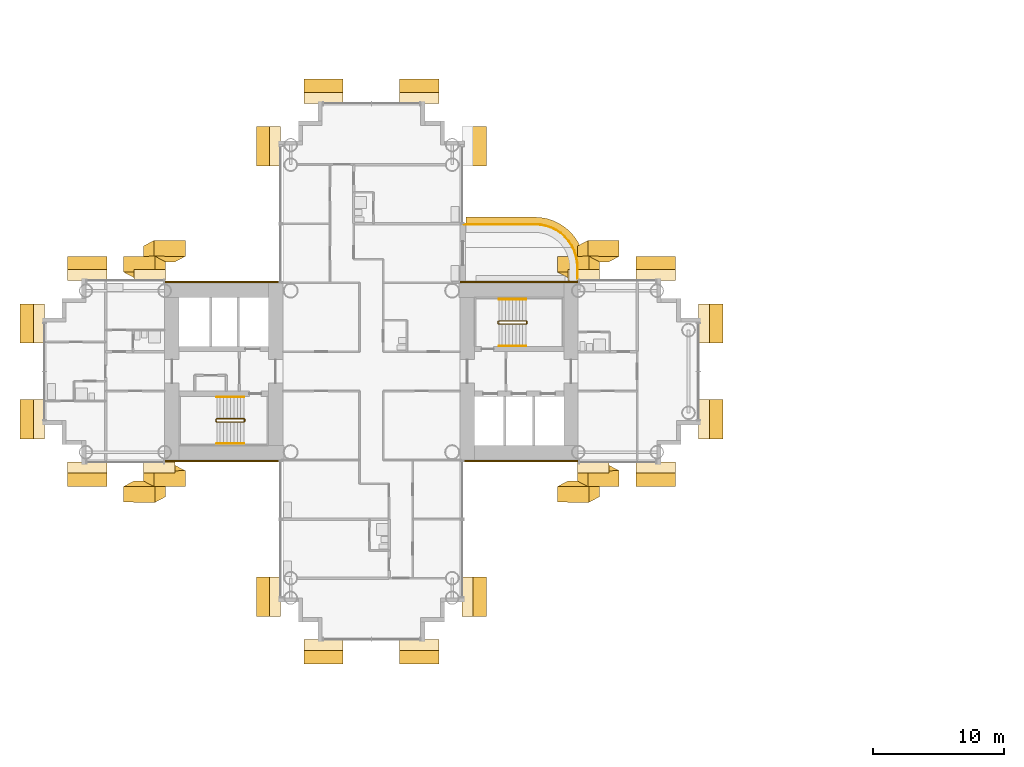
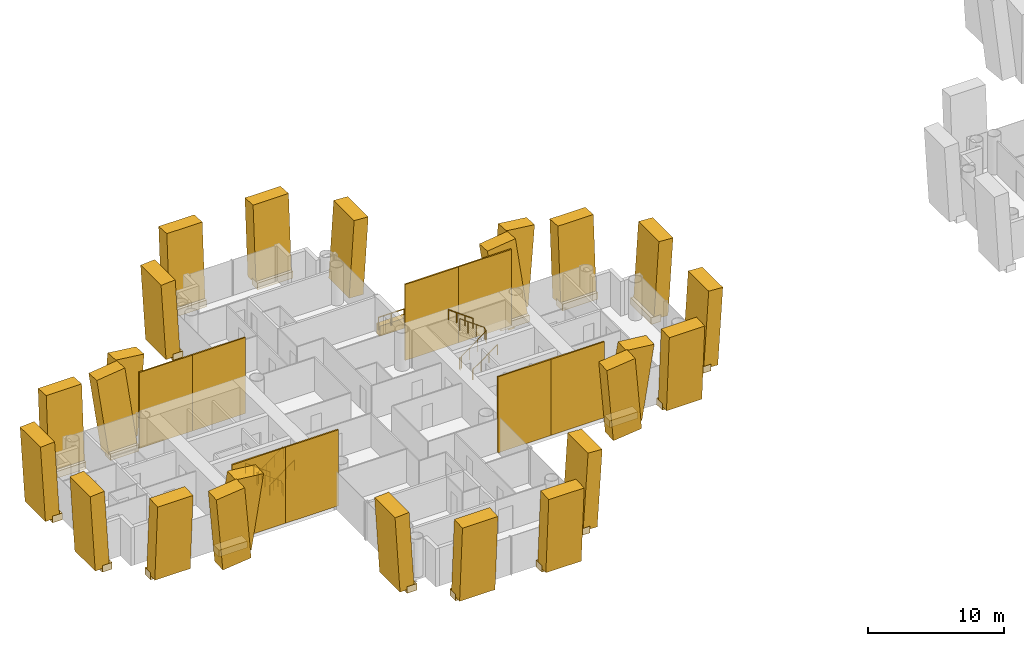
# One storey, part 21 of 23: 52 coverings, 7 railings.
"""IFC4 building model written with IfcOpenShell, lengths in metres."""

from ifc_helpers import new_model, si_unit, direction, frame, origin, origin_2d, place, context, subcontext, project, spatial, polyline, rectangle, circle, outline, extrude, material, layer, layer_set, material_profile, profile_set, type_object, element, save


model = new_model("IFC4")

# Units and contexts
model_context = context("Model", 3, precision=1e-05, world=origin(), true_north=direction((0.0, 1.0)))
body_context = subcontext(model_context, "Body", "Model", "MODEL_VIEW")
ifc_project = project(units=[si_unit("LENGTHUNIT", "METRE"), si_unit("AREAUNIT", "SQUARE_METRE"), si_unit("VOLUMEUNIT", "CUBIC_METRE"), si_unit("PLANEANGLEUNIT", "RADIAN"), si_unit("MASSUNIT", "GRAM", prefix="KILO")], contexts=[model_context])

# Site, building, storey
site_placement = place(None, origin())
site = spatial("IfcSite", under=ifc_project, at=site_placement, CompositionType="ELEMENT")
building_placement = place(site_placement, origin())
building = spatial("IfcBuilding", under=site, at=building_placement, Name="Ipe Terrace Towers", CompositionType="ELEMENT")
storey_placement = place(building_placement, frame((0.0, 0.0, 51.699951171875)))
storey = spatial("IfcBuildingStorey", under=building, at=storey_placement, Name="L13", CompositionType="ELEMENT", Elevation=51.699951171875)

# Railing
ifc_material_1 = material(Name="Stainless steel S316", Category="steel")
railing_type_1 = type_object("IfcRailingType", Name="GUARD 1100", PredefinedType="BALUSTRADE", material=ifc_material_1)
railing_1_placement = place(storey_placement, frame((-20.300048828125, 7.070068359375, -0.02001953125)))
element("IfcRailing", 1, at=railing_1_placement, inside=storey, type_object=railing_type_1, Name="guard", PredefinedType="BALUSTRADE", context=body_context, shape_type="SweptSolid", body=[
    extrude(circle(Radius=0.02392578125, at=origin_2d()), frame((0.0, 0.0, 1.076171875), z_axis=(0.0, 1.0, 0.0), x_axis=(-1.0, 0.0, 0.0)), (0.0, 0.0, 1.0), 0.8779296875),
    extrude(circle(Radius=0.02392578125, at=origin_2d()), frame((0.0, 0.8779296875, 1.076171875), z_axis=(-0.065190546171, 0.997872833927, 0.0), x_axis=(-0.997872833927, -0.065190546171, 0.0)), (0.0, 0.0, 1.0), 0.427001953125),
    extrude(circle(Radius=0.02392578125, at=origin_2d()), frame((-0.02783203125, 1.303955078125, 1.076171875), z_axis=(-0.195232649896, 0.980756958892, 0.0), x_axis=(-0.980756958892, -0.195232649896, 0.0)), (0.0, 0.0, 1.0), 0.42529296875),
    extrude(circle(Radius=0.02392578125, at=origin_2d()), frame((-0.11083984375, 1.720947265625, 1.076171875), z_axis=(-0.320184280026, 0.947355280148, 0.0), x_axis=(-0.947355280148, -0.320184280026, 0.0)), (0.0, 0.0, 1.0), 0.425537109375),
    extrude(circle(Radius=0.02392578125, at=origin_2d()), frame((-0.2470703125, 2.1240234375, 1.076171875), z_axis=(-0.444455160923, 0.895801099535, 0.0), x_axis=(-0.895801099535, -0.444455160923, 0.0)), (0.0, 0.0, 1.0), 0.425048828125),
    extrude(circle(Radius=0.02392578125, at=origin_2d()), frame((-0.43603515625, 2.5048828125, 1.076171875), z_axis=(-0.55549616226, 0.83151910003, 0.0), x_axis=(-0.83151910003, -0.55549616226, 0.0)), (0.0, 0.0, 1.0), 0.424560546875),
    extrude(circle(Radius=0.02392578125, at=origin_2d()), frame((-0.671875, 2.85791015625, 1.076171875), z_axis=(-0.658463964434, 0.752612255774, 0.0), x_axis=(-0.752612255774, -0.658463964434, 0.0)), (0.0, 0.0, 1.0), 0.42529296875),
    extrude(circle(Radius=0.02392578125, at=origin_2d()), frame((-0.951904296875, 3.177978515625, 1.076171875), z_axis=(-0.752612255774, 0.658463964434, 0.0), x_axis=(-0.658463964434, -0.752612255774, 0.0)), (0.0, 0.0, 1.0), 0.42529296875),
    extrude(circle(Radius=0.02392578125, at=origin_2d()), frame((-1.27197265625, 3.4580078125, 1.076171875), z_axis=(-0.83151910003, 0.55549616226, 0.0), x_axis=(-0.55549616226, -0.83151910003, 0.0)), (0.0, 0.0, 1.0), 0.424560546875),
    extrude(circle(Radius=0.02392578125, at=origin_2d()), frame((-1.625, 3.69384765625, 1.076171875), z_axis=(-0.895801099535, 0.444455160923, 0.0), x_axis=(-0.444455160923, -0.895801099535, 0.0)), (0.0, 0.0, 1.0), 0.425048828125),
    extrude(circle(Radius=0.02392578125, at=origin_2d()), frame((-2.005859375, 3.8828125, 1.076171875), z_axis=(-0.947355280148, 0.320184280026, 0.0), x_axis=(-0.320184280026, -0.947355280148, 0.0)), (0.0, 0.0, 1.0), 0.425537109375),
    extrude(circle(Radius=0.02392578125, at=origin_2d()), frame((-2.408935546875, 4.01904296875, 1.076171875), z_axis=(-0.980756958892, 0.195232649896, 0.0), x_axis=(-0.195232649896, -0.980756958892, 0.0)), (0.0, 0.0, 1.0), 0.42529296875),
    extrude(circle(Radius=0.02392578125, at=origin_2d()), frame((-2.825927734375, 4.10205078125, 1.076171875), z_axis=(-0.997872833927, 0.065190546171, 0.0), x_axis=(-0.065190546171, -0.997872833927, 0.0)), (0.0, 0.0, 1.0), 0.427001953125),
    extrude(circle(Radius=0.02392578125, at=origin_2d()), frame((-3.251953125, 4.1298828125, 1.076171875), z_axis=(-1.0, 0.0, 0.0), x_axis=(0.0, -1.0, 0.0)), (0.0, 0.0, 1.0), 5.3779296875),
    extrude(circle(Radius=0.02099609375, at=origin_2d()), origin(), (0.0, 0.0, 1.0), 1.052001953125),
    extrude(circle(Radius=0.02099609375, at=origin_2d()), frame((0.0, 0.8779296875, 0.0)), (0.0, 0.0, 1.0), 1.052001953125),
    extrude(circle(Radius=0.02099609375, at=origin_2d()), frame((-0.02783203125, 1.303955078125, 0.0)), (0.0, 0.0, 1.0), 1.052001953125),
    extrude(circle(Radius=0.02099609375, at=origin_2d()), frame((-0.11083984375, 1.720947265625, 0.0)), (0.0, 0.0, 1.0), 1.052001953125),
    extrude(circle(Radius=0.02099609375, at=origin_2d()), frame((-0.2470703125, 2.1240234375, 0.0)), (0.0, 0.0, 1.0), 1.052001953125),
    extrude(circle(Radius=0.02099609375, at=origin_2d()), frame((-0.43603515625, 2.5048828125, 0.0)), (0.0, 0.0, 1.0), 1.052001953125),
    extrude(circle(Radius=0.02099609375, at=origin_2d()), frame((-0.671875, 2.85791015625, 0.0)), (0.0, 0.0, 1.0), 1.052001953125),
    extrude(circle(Radius=0.02099609375, at=origin_2d()), frame((-0.951904296875, 3.177978515625, 0.0)), (0.0, 0.0, 1.0), 1.052001953125),
    extrude(circle(Radius=0.02099609375, at=origin_2d()), frame((-1.27197265625, 3.4580078125, 0.0)), (0.0, 0.0, 1.0), 1.052001953125),
    extrude(circle(Radius=0.02099609375, at=origin_2d()), frame((-1.625, 3.69384765625, 0.0)), (0.0, 0.0, 1.0), 1.052001953125),
    extrude(circle(Radius=0.02099609375, at=origin_2d()), frame((-2.005859375, 3.8828125, 0.0)), (0.0, 0.0, 1.0), 1.052001953125),
    extrude(circle(Radius=0.02099609375, at=origin_2d()), frame((-2.408935546875, 4.01904296875, 0.0)), (0.0, 0.0, 1.0), 1.052001953125),
    extrude(circle(Radius=0.02099609375, at=origin_2d()), frame((-2.825927734375, 4.10205078125, 0.0)), (0.0, 0.0, 1.0), 1.052001953125),
    extrude(circle(Radius=0.02099609375, at=origin_2d()), frame((-3.251953125, 4.1298828125, 0.0)), (0.0, 0.0, 1.0), 1.052001953125),
    extrude(circle(Radius=0.02099609375, at=origin_2d()), frame((-4.32763671875, 4.1298828125, 0.0)), (0.0, 0.0, 1.0), 1.052001953125),
    extrude(circle(Radius=0.02099609375, at=origin_2d()), frame((-5.403076171875, 4.1298828125, 0.0)), (0.0, 0.0, 1.0), 1.052001953125),
    extrude(circle(Radius=0.02099609375, at=origin_2d()), frame((-6.478759765625, 4.1298828125, 0.0)), (0.0, 0.0, 1.0), 1.052001953125),
    extrude(circle(Radius=0.02099609375, at=origin_2d()), frame((-7.55419921875, 4.1298828125, 0.0)), (0.0, 0.0, 1.0), 1.052001953125),
    extrude(circle(Radius=0.02099609375, at=origin_2d()), frame((-8.6298828125, 4.1298828125, 0.0)), (0.0, 0.0, 1.0), 1.052001953125),
])

# Coverings
ifc_material_2 = material(Name="Concrete C50/60 precast, buff finish", Category="concrete")
ifc_layer_1 = layer(ifc_material_2, 0.1201171875)
ifc_layer_set_1 = layer_set([ifc_layer_1], Name="STONE CORE CLADDING 120")
covering_type_1 = type_object("IfcCoveringType", Name="STONE CORE CLADDING 120", PredefinedType="CLADDING", material=ifc_layer_set_1)
covering_1_placement = place(storey_placement, frame((-49.5009765625, -6.81005859375, 0.0), z_axis=(0.0, 0.0, 1.0), x_axis=(1.0, 0.0, 0.0)))
element("IfcCovering", 2, at=covering_1_placement, inside=storey, type_object=covering_type_1, Name="stone core cladding", PredefinedType="CLADDING", context=body_context, shape_type="SweptSolid", body=[
    extrude(rectangle(XDim=4.5009765625, YDim=0.1201171875, at=origin_2d()), origin(), (0.0, 0.0, 1.0), 6.800048828125),
])
covering_2_placement = place(storey_placement, frame((-45.0, -6.81005859375, 0.0), z_axis=(0.0, 0.0, 1.0), x_axis=(1.0, 0.0, 0.0)))
element("IfcCovering", 3, at=covering_2_placement, inside=storey, type_object=covering_type_1, Name="stone core cladding", PredefinedType="CLADDING", context=body_context, shape_type="SweptSolid", body=[
    extrude(rectangle(XDim=4.5, YDim=0.1201171875, at=origin_2d()), origin(), (0.0, 0.0, 1.0), 6.800048828125),
])
covering_3_placement = place(storey_placement, frame((-49.5009765625, 6.81005859375, 0.0), z_axis=(0.0, 0.0, 1.0), x_axis=(-1.0, 0.0, 0.0)))
element("IfcCovering", 4, at=covering_3_placement, inside=storey, type_object=covering_type_1, Name="stone core cladding", PredefinedType="CLADDING", context=body_context, shape_type="SweptSolid", body=[
    extrude(rectangle(XDim=4.5009765625, YDim=0.1201171875, at=origin_2d()), origin(), (0.0, 0.0, 1.0), 6.800048828125),
])
for number, where, z_axis, x_axis, name in (
    (5, (-45.0, 6.81005859375, 0.0), (0.0, 0.0, 1.0), (-1.0, 0.0, 0.0), "stone core cladding"),
    (6, (-27.0, -6.81005859375, 0.0), (0.0, 0.0, 1.0), (1.0, 0.0, 0.0), "stone core cladding"),
):
    element("IfcCovering", number, at=place(storey_placement, frame(where, z_axis=z_axis, x_axis=x_axis)), inside=storey, type_object=covering_type_1, Name=name, PredefinedType="CLADDING", context=body_context, shape_type="SweptSolid", body=[
        extrude(rectangle(XDim=4.5, YDim=0.1201171875, at=origin_2d()), origin(), (0.0, 0.0, 1.0), 6.800048828125),
    ])
covering_4_placement = place(storey_placement, frame((-22.4990234375, -6.81005859375, 0.0), z_axis=(0.0, 0.0, 1.0), x_axis=(1.0, 0.0, 0.0)))
element("IfcCovering", 7, at=covering_4_placement, inside=storey, type_object=covering_type_1, Name="stone core cladding", PredefinedType="CLADDING", context=body_context, shape_type="SweptSolid", body=[
    extrude(rectangle(XDim=4.5009765625, YDim=0.1201171875, at=origin_2d()), origin(), (0.0, 0.0, 1.0), 6.800048828125),
])
covering_5_placement = place(storey_placement, frame((-27.0, 6.81005859375, 0.0), z_axis=(0.0, 0.0, 1.0), x_axis=(-1.0, 0.0, 0.0)))
element("IfcCovering", 8, at=covering_5_placement, inside=storey, type_object=covering_type_1, Name="stone core cladding", PredefinedType="CLADDING", context=body_context, shape_type="SweptSolid", body=[
    extrude(rectangle(XDim=4.5, YDim=0.1201171875, at=origin_2d()), origin(), (0.0, 0.0, 1.0), 6.800048828125),
])
covering_6_placement = place(storey_placement, frame((-22.4990234375, 6.81005859375, 0.0), z_axis=(0.0, 0.0, 1.0), x_axis=(-1.0, 0.0, 0.0)))
element("IfcCovering", 9, at=covering_6_placement, inside=storey, type_object=covering_type_1, Name="stone core cladding", PredefinedType="CLADDING", context=body_context, shape_type="SweptSolid", body=[
    extrude(rectangle(XDim=4.5009765625, YDim=0.1201171875, at=origin_2d()), origin(), (0.0, 0.0, 1.0), 6.800048828125),
])
ifc_material_3 = material(Name="Concrete C50/60 precast, buff finish", Category="concrete")
ifc_layer_2 = layer(ifc_material_3, 0.5)
ifc_layer_set_2 = layer_set([ifc_layer_2], Name="STONE EDGE BAND 500 x 900")
covering_type_2 = type_object("IfcCoveringType", Name="STONE EDGE BAND 500 x 900", PredefinedType="CLADDING", material=ifc_layer_set_2)
covering_7_placement = place(storey_placement, frame((0.0, 0.0, -0.719970703125)))
element("IfcCovering", 10, at=covering_7_placement, inside=storey, type_object=covering_type_2, Name="stone edge band", PredefinedType="CLADDING", context=body_context, shape_type="SweptSolid", body=[
    extrude(outline(polyline([(-23.550048828125, 11.75), (-28.800048828125, 11.75), (-28.800048828125, 11.25), (-23.550048828125, 11.25), (-23.118896484375, 11.221923828125), (-22.696044921875, 11.137939453125), (-22.287109375, 10.9990234375), (-21.89990234375, 10.80810546875), (-21.541015625, 10.568115234375), (-21.217041015625, 10.282958984375), (-20.931884765625, 9.958984375), (-20.69189453125, 9.60009765625), (-20.5009765625, 9.212890625), (-20.362060546875, 8.803955078125), (-20.278076171875, 8.381103515625), (-20.25, 7.949951171875), (-20.25, 7.199951171875), (-19.75, 7.199951171875), (-19.75, 7.949951171875), (-19.7509765625, 7.98291015625), (-19.779052734375, 8.4130859375), (-19.7880859375, 8.47802734375), (-19.8720703125, 8.902099609375), (-19.888916015625, 8.965087890625), (-20.028076171875, 9.3740234375), (-20.052978515625, 9.43408203125), (-20.243896484375, 9.821044921875), (-20.27587890625, 9.8779296875), (-20.51611328125, 10.237060546875), (-20.555908203125, 10.2890625), (-20.841064453125, 10.613037109375), (-20.886962890625, 10.658935546875), (-21.2109375, 10.944091796875), (-21.262939453125, 10.98388671875), (-21.6220703125, 11.22412109375), (-21.678955078125, 11.256103515625), (-22.06591796875, 11.447021484375), (-22.1259765625, 11.471923828125), (-22.534912109375, 11.611083984375), (-22.597900390625, 11.6279296875), (-23.02197265625, 11.7119140625), (-23.0869140625, 11.720947265625), (-23.51708984375, 11.7490234375), (-23.550048828125, 11.75)])), origin(), (0.0, 0.0, 1.0), 0.89990234375),
])
ifc_material_4 = material(Name="Concrete C50/60 precast, buff finish", Category="concrete")
ifc_material_profile_1 = material_profile(ifc_material_4, rectangle(XDim=2.39990234375, YDim=1.199951171875, at=origin_2d()), Name="STONE FIN 2400 x 1200")
ifc_profile_set_1 = profile_set([ifc_material_profile_1], Name="Concrete C50/60 precast, buff finish")
covering_type_3 = type_object("IfcCoveringType", Name="STONE FIN 2400 x 1200", PredefinedType="USERDEFINED", material=ifc_profile_set_1)
for number, where, z_axis, x_axis, name in (
    (11, (-19.8369140625, -8.946044921875, 0.0), (-0.115607033522, -0.061647592999, 0.991380143072), (0.993295028579, -0.00717500355, 0.115384164962), "stone fin"),
    (12, (-19.8369140625, 7.74609375, 0.0), (-0.115607033522, 0.061647592999, 0.991380143072), (-0.993295028579, -0.00717500355, -0.115384164962), "stone fin"),
    (13, (-19.113037109375, -7.74609375, 0.0), (0.115607033522, -0.061647592999, 0.991380143072), (0.993295028579, 0.00717500355, -0.115384164962), "stone fin"),
    (14, (-19.113037109375, 8.946044921875, 0.0), (0.115607033522, 0.061647592999, 0.991380143072), (-0.993295028579, 0.00717500355, 0.115384164962), "stone fin"),
    (15, (-52.886962890625, -8.946044921875, 0.0), (-0.115607033522, -0.061647592999, 0.991380143072), (0.993295028579, -0.00717500355, 0.115384164962), "stone fin"),
    (16, (-52.886962890625, 7.74609375, 0.0), (-0.115607033522, 0.061647592999, 0.991380143072), (-0.993295028579, -0.00717500355, -0.115384164962), "stone fin"),
    (17, (-52.1630859375, -7.74609375, 0.0), (0.115607033522, -0.061647592999, 0.991380143072), (0.993295028579, 0.00717500355, -0.115384164962), "stone fin"),
    (18, (-52.1630859375, 8.946044921875, 0.0), (0.115607033522, 0.061647592999, 0.991380143072), (-0.993295028579, 0.00717500355, 0.115384164962), "stone fin"),
):
    element("IfcCovering", number, at=place(storey_placement, frame(where, z_axis=z_axis, x_axis=x_axis)), inside=storey, type_object=covering_type_3, Name=name, ObjectType="FIN", PredefinedType="USERDEFINED", context=body_context, shape_type="SweptSolid", body=[
        extrude(rectangle(XDim=2.39990234375, YDim=1.199951171875, at=origin_2d()), origin(), (0.0, 0.0, 1.0), 6.859130859375),
    ])
ifc_material_5 = material(Name="Concrete C50/60 precast, buff finish", Category="concrete")
ifc_material_profile_2 = material_profile(ifc_material_5, rectangle(XDim=3.0, YDim=1.199951171875, at=origin_2d()), Name="STONE FIN CORNER 3000 x 1200")
ifc_profile_set_2 = profile_set([ifc_material_profile_2], Name="Concrete C50/60 precast, buff finish")
covering_type_4 = type_object("IfcCoveringType", Name="STONE FIN CORNER 3000 x 1200", PredefinedType="USERDEFINED", material=ifc_profile_set_2)
for number, where, z_axis, x_axis, name in (
    (19, (-10.25390625, -3.64990234375, 0.0), (0.062063728525, 0.0, 0.998072188572), (0.0, 1.0, 0.0), "stone fin"),
    (20, (-10.25390625, 3.64990234375, 0.0), (0.062063728525, 0.0, 0.998072188572), (0.0, 1.0, 0.0), "stone fin"),
    (21, (-14.35009765625, -7.74609375, 0.0), (0.0, -0.062063728525, 0.998072188572), (1.0, 0.0, 0.0), "stone fin"),
    (22, (-14.35009765625, 7.74609375, 0.0), (0.0, 0.062063728525, 0.998072188572), (-1.0, 0.0, 0.0), "stone fin"),
    (23, (-28.25390625, -17.14990234375, 0.0), (0.062063728525, 0.0, 0.998072188572), (0.0, 1.0, 0.0), "stone fin"),
    (24, (-28.25390625, 17.14990234375, 0.0), (0.062063728525, 0.0, 0.998072188572), (0.0, 1.0, 0.0), "stone fin"),
    (25, (-32.35009765625, -21.24609375, 0.0), (0.0, -0.062063728525, 0.998072188572), (1.0, 0.0, 0.0), "stone fin"),
    (26, (-32.35009765625, 21.24609375, 0.0), (0.0, 0.062063728525, 0.998072188572), (-1.0, 0.0, 0.0), "stone fin"),
    (27, (-39.64990234375, -21.24609375, 0.0), (0.0, -0.062063728525, 0.998072188572), (1.0, 0.0, 0.0), "stone fin"),
    (28, (-39.64990234375, 21.24609375, 0.0), (0.0, 0.062063728525, 0.998072188572), (-1.0, 0.0, 0.0), "stone fin"),
    (29, (-43.74609375, -17.14990234375, 0.0), (-0.062063728525, 0.0, 0.998072188572), (0.0, -1.0, 0.0), "stone fin"),
    (30, (-43.74609375, 17.14990234375, 0.0), (-0.062063728525, 0.0, 0.998072188572), (0.0, -1.0, 0.0), "stone fin"),
    (31, (-57.64990234375, -7.74609375, 0.0), (0.0, -0.062063728525, 0.998072188572), (1.0, 0.0, 0.0), "stone fin"),
    (32, (-57.64990234375, 7.74609375, 0.0), (0.0, 0.062063728525, 0.998072188572), (-1.0, 0.0, 0.0), "stone fin"),
    (33, (-61.74609375, -3.64990234375, 0.0), (-0.062063728525, 0.0, 0.998072188572), (0.0, -1.0, 0.0), "stone fin"),
    (34, (-61.74609375, 3.64990234375, 0.0), (-0.062063728525, 0.0, 0.998072188572), (0.0, -1.0, 0.0), "stone fin"),
):
    element("IfcCovering", number, at=place(storey_placement, frame(where, z_axis=z_axis, x_axis=x_axis)), inside=storey, type_object=covering_type_4, Name=name, ObjectType="FIN", PredefinedType="USERDEFINED", context=body_context, shape_type="SweptSolid", body=[
        extrude(rectangle(XDim=3.0, YDim=1.199951171875, at=origin_2d()), origin(), (0.0, 0.0, 1.0), 6.813232421875),
    ])
ifc_material_6 = material(Name="Concrete C50/60 precast, buff finish", Category="concrete")
covering_type_5 = type_object("IfcCoveringType", Name="STONE FIN SHELF 2400 x 600", PredefinedType="CLADDING", material=ifc_material_6)
for number, where, z_axis, x_axis, name in (
    (35, (-19.8369140625, 7.3310546875, -0.35009765625), (0.0, 0.0, 1.0), (-1.0, 0.0, 0.0), "stone fin shelf"),
    (36, (-19.113037109375, -7.3310546875, -0.35009765625), (0.0, 0.0, 1.0), (1.0, 0.0, 0.0), "stone fin shelf"),
    (37, (-52.886962890625, 7.3310546875, -0.35009765625), (0.0, 0.0, 1.0), (-1.0, 0.0, 0.0), "stone fin shelf"),
    (38, (-52.1630859375, -7.3310546875, -0.35009765625), (0.0, 0.0, 1.0), (1.0, 0.0, 0.0), "stone fin shelf"),
):
    element("IfcCovering", number, at=place(storey_placement, frame(where, z_axis=z_axis, x_axis=x_axis)), inside=storey, type_object=covering_type_5, Name=name, PredefinedType="CLADDING", context=body_context, shape_type="SweptSolid", body=[
        extrude(rectangle(XDim=2.39990234375, YDim=0.830078125, at=origin_2d()), origin(), (0.0, 0.0, 1.0), 0.60009765625),
    ])
ifc_material_7 = material(Name="Concrete C50/60 precast, buff finish", Category="concrete")
covering_type_6 = type_object("IfcCoveringType", Name="STONE FIN SHELF 3000 x 600", PredefinedType="CLADDING", material=ifc_material_7)
for number, where, z_axis, x_axis, name in (
    (39, (-10.6689453125, -3.64990234375, -0.35009765625), (0.0, 0.0, 1.0), (0.0, 1.0, 0.0), "stone fin shelf"),
    (40, (-10.6689453125, 3.64990234375, -0.35009765625), (0.0, 0.0, 1.0), (0.0, 1.0, 0.0), "stone fin shelf"),
    (41, (-14.35009765625, -7.3310546875, -0.35009765625), (0.0, 0.0, 1.0), (1.0, 0.0, 0.0), "stone fin shelf"),
    (42, (-14.35009765625, 7.3310546875, -0.35009765625), (0.0, 0.0, 1.0), (-1.0, 0.0, 0.0), "stone fin shelf"),
    (43, (-28.6689453125, -17.14990234375, -0.35009765625), (0.0, 0.0, 1.0), (0.0, 1.0, 0.0), "stone fin shelf"),
    (44, (-32.35009765625, -20.8310546875, -0.35009765625), (0.0, 0.0, 1.0), (1.0, 0.0, 0.0), "stone fin shelf"),
    (45, (-32.35009765625, 20.8310546875, -0.35009765625), (0.0, 0.0, 1.0), (-1.0, 0.0, 0.0), "stone fin shelf"),
    (46, (-39.64990234375, -20.8310546875, -0.35009765625), (0.0, 0.0, 1.0), (1.0, 0.0, 0.0), "stone fin shelf"),
    (47, (-39.64990234375, 20.8310546875, -0.35009765625), (0.0, 0.0, 1.0), (-1.0, 0.0, 0.0), "stone fin shelf"),
    (48, (-43.3310546875, -17.14990234375, -0.35009765625), (0.0, 0.0, 1.0), (0.0, -1.0, 0.0), "stone fin shelf"),
    (49, (-43.3310546875, 17.14990234375, -0.35009765625), (0.0, 0.0, 1.0), (0.0, -1.0, 0.0), "stone fin shelf"),
    (50, (-57.64990234375, -7.3310546875, -0.35009765625), (0.0, 0.0, 1.0), (1.0, 0.0, 0.0), "stone fin shelf"),
    (51, (-57.64990234375, 7.3310546875, -0.35009765625), (0.0, 0.0, 1.0), (-1.0, 0.0, 0.0), "stone fin shelf"),
    (52, (-61.3310546875, -3.64990234375, -0.35009765625), (0.0, 0.0, 1.0), (0.0, -1.0, 0.0), "stone fin shelf"),
    (53, (-61.3310546875, 3.64990234375, -0.35009765625), (0.0, 0.0, 1.0), (0.0, -1.0, 0.0), "stone fin shelf"),
):
    element("IfcCovering", number, at=place(storey_placement, frame(where, z_axis=z_axis, x_axis=x_axis)), inside=storey, type_object=covering_type_6, Name=name, PredefinedType="CLADDING", context=body_context, shape_type="SweptSolid", body=[
        extrude(rectangle(XDim=3.0, YDim=0.830078125, at=origin_2d()), origin(), (0.0, 0.0, 1.0), 0.60009765625),
    ])

# Railings
ifc_material_8 = material(Name="Steel S355", Category="steel")
railing_type_2 = type_object("IfcRailingType", Name="Stair guard 1100", PredefinedType="GUARDRAIL", material=ifc_material_8)
railing_2_placement = place(storey_placement, frame((-26.35009765625, 3.800048828125, 0.0)))
element("IfcRailing", 54, at=railing_2_placement, inside=storey, type_object=railing_type_2, Name="L13 T1-ST1 stair guard 1", PredefinedType="GUARDRAIL", context=body_context, shape_type="SweptSolid", body=[
    extrude(circle(Radius=0.02392578125, at=origin_2d()), frame((0.0, 0.0, 1.076171875), z_axis=(0.0, -1.0, 0.0), x_axis=(1.0, 0.0, 0.0)), (0.0, 0.0, 1.0), 0.150146484375),
    extrude(circle(Radius=0.02392578125, at=origin_2d()), frame((0.0, -0.150146484375, 1.076171875), z_axis=(0.248103849378, -0.246893586699, 0.936743314239), x_axis=(0.705375805398, 0.708833529934, 0.0)), (0.0, 0.0, 1.0), 0.20166015625),
    extrude(circle(Radius=0.02392578125, at=origin_2d()), frame((0.050048828125, -0.199951171875, 1.26513671875), z_axis=(0.809068575486, 0.0, 0.587714250432), x_axis=(0.0, 1.0, 0.0)), (0.0, 0.0, 1.0), 2.571044921875),
    extrude(circle(Radius=0.02392578125, at=origin_2d()), frame((2.130126953125, -0.199951171875, 2.77587890625), z_axis=(0.708833529934, 0.705375805398, 0.0), x_axis=(-0.705375805398, 0.708833529934, 0.0)), (0.0, 0.0, 1.0), 0.070556640625),
    extrude(circle(Radius=0.02392578125, at=origin_2d()), frame((2.18017578125, -0.150146484375, 2.77587890625), z_axis=(0.0, 1.0, 0.0), x_axis=(-1.0, 0.0, 0.0)), (0.0, 0.0, 1.0), 0.150146484375),
    extrude(circle(Radius=0.02392578125, at=origin_2d()), frame((2.18017578125, 0.0, 2.77587890625), z_axis=(-0.248029566107, 0.248029566107, 0.936462849596), x_axis=(-0.707106781187, -0.707106781187, 0.0)), (0.0, 0.0, 1.0), 0.201904296875),
    extrude(circle(Radius=0.02392578125, at=origin_2d()), frame((2.130126953125, 0.050048828125, 2.96484375), z_axis=(-0.809023421508, 0.0, 0.587776406001), x_axis=(0.0, -1.0, 0.0)), (0.0, 0.0, 1.0), 2.571044921875),
    extrude(circle(Radius=0.02099609375, at=origin_2d()), origin(), (0.0, 0.0, 1.0), 1.052001953125),
    extrude(circle(Radius=0.02099609375, at=origin_2d()), frame((0.0, -0.150146484375, 0.0)), (0.0, 0.0, 1.0), 1.052001953125),
    extrude(circle(Radius=0.02099609375, at=origin_2d()), frame((0.050048828125, -0.199951171875, 0.18896484375)), (0.0, 0.0, 1.0), 1.052001953125),
    extrude(circle(Radius=0.02099609375, at=origin_2d()), frame((0.743408203125, -0.199951171875, 0.692626953125)), (0.0, 0.0, 1.0), 1.052001953125),
    extrude(circle(Radius=0.02099609375, at=origin_2d()), frame((1.436767578125, -0.199951171875, 1.1962890625)), (0.0, 0.0, 1.0), 1.052001953125),
    extrude(circle(Radius=0.02099609375, at=origin_2d()), frame((2.130126953125, -0.199951171875, 1.699951171875)), (0.0, 0.0, 1.0), 1.052001953125),
    extrude(circle(Radius=0.02099609375, at=origin_2d()), frame((2.18017578125, -0.150146484375, 1.699951171875)), (0.0, 0.0, 1.0), 1.052001953125),
    extrude(circle(Radius=0.02099609375, at=origin_2d()), frame((2.18017578125, 0.0, 1.699951171875)), (0.0, 0.0, 1.0), 1.052001953125),
    extrude(circle(Radius=0.02099609375, at=origin_2d()), frame((2.130126953125, 0.050048828125, 1.888916015625)), (0.0, 0.0, 1.0), 1.052001953125),
    extrude(circle(Radius=0.02099609375, at=origin_2d()), frame((1.436767578125, 0.050048828125, 2.392578125)), (0.0, 0.0, 1.0), 1.052001953125),
    extrude(circle(Radius=0.02099609375, at=origin_2d()), frame((0.743408203125, 0.050048828125, 2.896484375)), (0.0, 0.0, 1.0), 1.052001953125),
    extrude(circle(Radius=0.02099609375, at=origin_2d()), frame((0.050048828125, 0.050048828125, 3.400146484375)), (0.0, 0.0, 1.0), 1.052001953125),
])
railing_3_placement = place(storey_placement, frame((-45.64990234375, -3.800048828125, 0.0)))
element("IfcRailing", 55, at=railing_3_placement, inside=storey, type_object=railing_type_2, Name="L13 T1-ST2 stair guard 1", PredefinedType="GUARDRAIL", context=body_context, shape_type="SweptSolid", body=[
    extrude(circle(Radius=0.02392578125, at=origin_2d()), frame((0.0, 0.0, 1.076171875), z_axis=(0.0, 1.0, 0.0), x_axis=(-1.0, 0.0, 0.0)), (0.0, 0.0, 1.0), 0.150146484375),
    extrude(circle(Radius=0.02392578125, at=origin_2d()), frame((0.0, 0.150146484375, 1.076171875), z_axis=(-0.248103849378, 0.246893586699, 0.936743314239), x_axis=(-0.705375805398, -0.708833529934, 0.0)), (0.0, 0.0, 1.0), 0.20166015625),
    extrude(circle(Radius=0.02392578125, at=origin_2d()), frame((-0.050048828125, 0.199951171875, 1.26513671875), z_axis=(-0.809068575486, 0.0, 0.587714250432), x_axis=(0.0, -1.0, 0.0)), (0.0, 0.0, 1.0), 2.571044921875),
    extrude(circle(Radius=0.02392578125, at=origin_2d()), frame((-2.130126953125, 0.199951171875, 2.77587890625), z_axis=(-0.708833529934, -0.705375805398, 0.0), x_axis=(0.705375805398, -0.708833529934, 0.0)), (0.0, 0.0, 1.0), 0.070556640625),
    extrude(circle(Radius=0.02392578125, at=origin_2d()), frame((-2.18017578125, 0.150146484375, 2.77587890625), z_axis=(0.0, -1.0, 0.0), x_axis=(1.0, 0.0, 0.0)), (0.0, 0.0, 1.0), 0.150146484375),
    extrude(circle(Radius=0.02392578125, at=origin_2d()), frame((-2.18017578125, 0.0, 2.77587890625), z_axis=(0.248029566107, -0.248029566107, 0.936462849596), x_axis=(0.707106781187, 0.707106781187, 0.0)), (0.0, 0.0, 1.0), 0.201904296875),
    extrude(circle(Radius=0.02392578125, at=origin_2d()), frame((-2.130126953125, -0.050048828125, 2.96484375), z_axis=(0.809023421508, 0.0, 0.587776406001), x_axis=(0.0, 1.0, 0.0)), (0.0, 0.0, 1.0), 2.571044921875),
    extrude(circle(Radius=0.02099609375, at=origin_2d()), origin(), (0.0, 0.0, 1.0), 1.052001953125),
    extrude(circle(Radius=0.02099609375, at=origin_2d()), frame((0.0, 0.150146484375, 0.0)), (0.0, 0.0, 1.0), 1.052001953125),
    extrude(circle(Radius=0.02099609375, at=origin_2d()), frame((-0.050048828125, 0.199951171875, 0.18896484375)), (0.0, 0.0, 1.0), 1.052001953125),
    extrude(circle(Radius=0.02099609375, at=origin_2d()), frame((-0.743408203125, 0.199951171875, 0.692626953125)), (0.0, 0.0, 1.0), 1.052001953125),
    extrude(circle(Radius=0.02099609375, at=origin_2d()), frame((-1.436767578125, 0.199951171875, 1.1962890625)), (0.0, 0.0, 1.0), 1.052001953125),
    extrude(circle(Radius=0.02099609375, at=origin_2d()), frame((-2.130126953125, 0.199951171875, 1.699951171875)), (0.0, 0.0, 1.0), 1.052001953125),
    extrude(circle(Radius=0.02099609375, at=origin_2d()), frame((-2.18017578125, 0.150146484375, 1.699951171875)), (0.0, 0.0, 1.0), 1.052001953125),
    extrude(circle(Radius=0.02099609375, at=origin_2d()), frame((-2.18017578125, 0.0, 1.699951171875)), (0.0, 0.0, 1.0), 1.052001953125),
    extrude(circle(Radius=0.02099609375, at=origin_2d()), frame((-2.130126953125, -0.050048828125, 1.888916015625)), (0.0, 0.0, 1.0), 1.052001953125),
    extrude(circle(Radius=0.02099609375, at=origin_2d()), frame((-1.436767578125, -0.050048828125, 2.392578125)), (0.0, 0.0, 1.0), 1.052001953125),
    extrude(circle(Radius=0.02099609375, at=origin_2d()), frame((-0.743408203125, -0.050048828125, 2.896484375)), (0.0, 0.0, 1.0), 1.052001953125),
    extrude(circle(Radius=0.02099609375, at=origin_2d()), frame((-0.050048828125, -0.050048828125, 3.400146484375)), (0.0, 0.0, 1.0), 1.052001953125),
])
ifc_material_9 = material(Name="Stainless steel grade 304", Category="steel")
railing_type_3 = type_object("IfcRailingType", Name="Stair handrail 900", PredefinedType="HANDRAIL", material=ifc_material_9)
railing_4_placement = place(storey_placement, frame((-26.300048828125, 1.949951171875, 0.18896484375)))
element("IfcRailing", 56, at=railing_4_placement, inside=storey, type_object=railing_type_3, Name="L13 T1-ST1 stair handrail 1", PredefinedType="HANDRAIL", context=body_context, shape_type="SweptSolid", body=[
    extrude(circle(Radius=0.02392578125, at=origin_2d()), frame((0.0, 0.0, 0.8759765625), z_axis=(0.809068575486, 0.0, 0.587714250432), x_axis=(0.0, 1.0, 0.0)), (0.0, 0.0, 1.0), 2.571044921875),
    extrude(circle(Radius=0.02099609375, at=origin_2d()), origin(), (0.0, 0.0, 1.0), 0.851806640625),
    extrude(circle(Radius=0.02099609375, at=origin_2d()), frame((0.693359375, 0.0, 0.503662109375)), (0.0, 0.0, 1.0), 0.851806640625),
    extrude(circle(Radius=0.02099609375, at=origin_2d()), frame((1.38671875, 0.0, 1.00732421875)), (0.0, 0.0, 1.0), 0.851806640625),
    extrude(circle(Radius=0.02099609375, at=origin_2d()), frame((2.080078125, 0.0, 1.510986328125)), (0.0, 0.0, 1.0), 0.851806640625),
])
railing_5_placement = place(storey_placement, frame((-24.219970703125, 5.5, 1.888916015625)))
element("IfcRailing", 57, at=railing_5_placement, inside=storey, type_object=railing_type_3, Name="L13 T1-ST1 stair handrail 2", PredefinedType="HANDRAIL", context=body_context, shape_type="SweptSolid", body=[
    extrude(circle(Radius=0.02392578125, at=origin_2d()), frame((0.0, 0.0, 0.8759765625), z_axis=(-0.809023421508, 0.0, 0.587776406001), x_axis=(0.0, -1.0, 0.0)), (0.0, 0.0, 1.0), 2.571044921875),
    extrude(circle(Radius=0.02099609375, at=origin_2d()), origin(), (0.0, 0.0, 1.0), 0.851806640625),
    extrude(circle(Radius=0.02099609375, at=origin_2d()), frame((-0.693359375, 0.0, 0.503662109375)), (0.0, 0.0, 1.0), 0.851806640625),
    extrude(circle(Radius=0.02099609375, at=origin_2d()), frame((-1.38671875, 0.0, 1.007568359375)), (0.0, 0.0, 1.0), 0.851806640625),
    extrude(circle(Radius=0.02099609375, at=origin_2d()), frame((-2.080078125, 0.0, 1.51123046875)), (0.0, 0.0, 1.0), 0.851806640625),
])
railing_6_placement = place(storey_placement, frame((-45.699951171875, -1.949951171875, 0.18896484375)))
element("IfcRailing", 58, at=railing_6_placement, inside=storey, type_object=railing_type_3, Name="L13 T1-ST2 stair handrail 1", PredefinedType="HANDRAIL", context=body_context, shape_type="SweptSolid", body=[
    extrude(circle(Radius=0.02392578125, at=origin_2d()), frame((0.0, 0.0, 0.8759765625), z_axis=(-0.809068575486, 0.0, 0.587714250432), x_axis=(0.0, -1.0, 0.0)), (0.0, 0.0, 1.0), 2.571044921875),
    extrude(circle(Radius=0.02099609375, at=origin_2d()), origin(), (0.0, 0.0, 1.0), 0.851806640625),
    extrude(circle(Radius=0.02099609375, at=origin_2d()), frame((-0.693359375, 0.0, 0.503662109375)), (0.0, 0.0, 1.0), 0.851806640625),
    extrude(circle(Radius=0.02099609375, at=origin_2d()), frame((-1.38671875, 0.0, 1.00732421875)), (0.0, 0.0, 1.0), 0.851806640625),
    extrude(circle(Radius=0.02099609375, at=origin_2d()), frame((-2.080078125, 0.0, 1.510986328125)), (0.0, 0.0, 1.0), 0.851806640625),
])
railing_7_placement = place(storey_placement, frame((-47.780029296875, -5.5, 1.888916015625)))
element("IfcRailing", 59, at=railing_7_placement, inside=storey, type_object=railing_type_3, Name="L13 T1-ST2 stair handrail 2", PredefinedType="HANDRAIL", context=body_context, shape_type="SweptSolid", body=[
    extrude(circle(Radius=0.02392578125, at=origin_2d()), frame((0.0, 0.0, 0.8759765625), z_axis=(0.809023421508, 0.0, 0.587776406001), x_axis=(0.0, 1.0, 0.0)), (0.0, 0.0, 1.0), 2.571044921875),
    extrude(circle(Radius=0.02099609375, at=origin_2d()), origin(), (0.0, 0.0, 1.0), 0.851806640625),
    extrude(circle(Radius=0.02099609375, at=origin_2d()), frame((0.693359375, 0.0, 0.503662109375)), (0.0, 0.0, 1.0), 0.851806640625),
    extrude(circle(Radius=0.02099609375, at=origin_2d()), frame((1.38671875, 0.0, 1.007568359375)), (0.0, 0.0, 1.0), 0.851806640625),
    extrude(circle(Radius=0.02099609375, at=origin_2d()), frame((2.080078125, 0.0, 1.51123046875)), (0.0, 0.0, 1.0), 0.851806640625),
])

save(model, "model.ifc")
